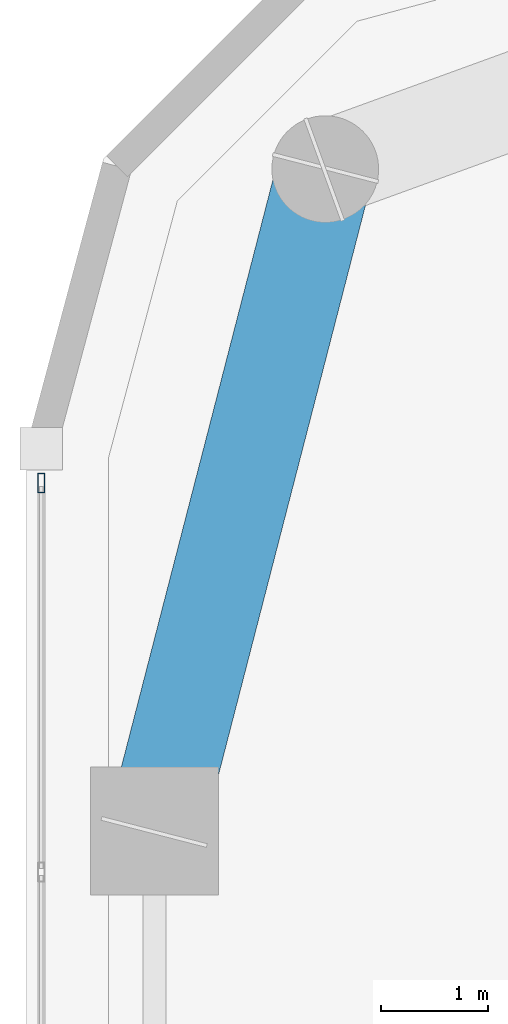
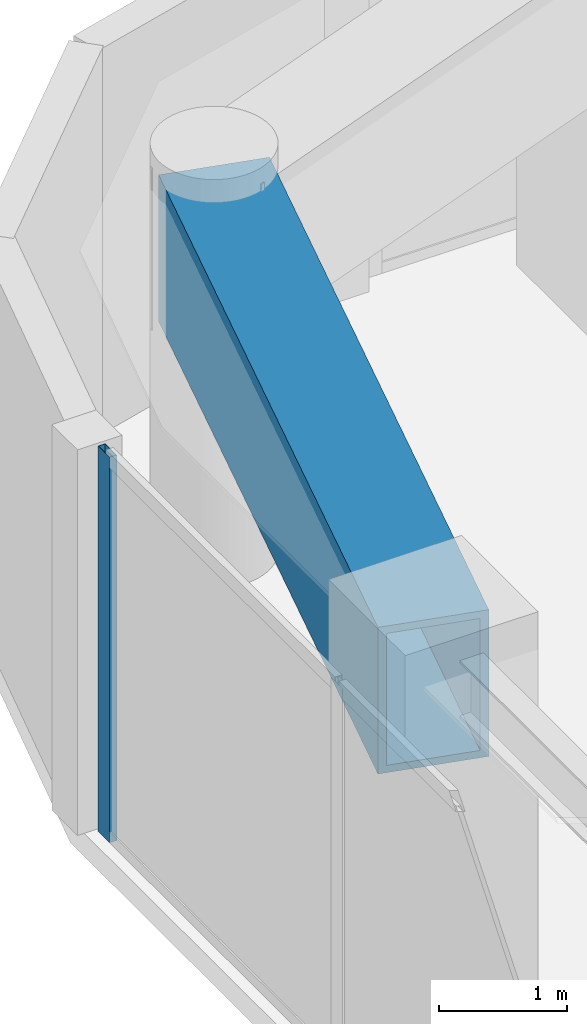
# One storey, part 15 of 30: 1 beam, 1 member, 1 element without a shape of its own.
"""IFC4 building model written with IfcOpenShell, lengths in metres."""

from ifc_helpers import new_model, si_unit, direction, frame, origin, origin_2d, place, context, subcontext, project, spatial, hollow_rectangle, extrude, material, layer, layer_set, material_profile, profile_set, type_object, element, aggregate, save


model = new_model("IFC4")

# Units and contexts
model_context = context("Model", 3, precision=1e-05, world=origin(), true_north=direction((0.0, 1.0)))
body_context = subcontext(model_context, "Body", "Model", "MODEL_VIEW")
ifc_project = project(units=[si_unit("LENGTHUNIT", "METRE"), si_unit("AREAUNIT", "SQUARE_METRE"), si_unit("VOLUMEUNIT", "CUBIC_METRE"), si_unit("PLANEANGLEUNIT", "RADIAN"), si_unit("MASSUNIT", "GRAM", prefix="KILO")], contexts=[model_context])

# Site, building, storey
site_placement = place(None, origin())
site = spatial("IfcSite", under=ifc_project, at=site_placement, CompositionType="ELEMENT")
building_placement = place(site_placement, origin())
building = spatial("IfcBuilding", under=site, at=building_placement, Name="Kiyonajd Concourse Tower", CompositionType="ELEMENT")
storey_placement = place(building_placement, frame((0.0, 0.0, 198.0)))
storey = spatial("IfcBuildingStorey", under=building, at=storey_placement, Name="L50", CompositionType="ELEMENT", Elevation=198.0)

# Beam
ifc_material_1 = material(Name="Steel ASTM A572 Grade 50", Category="steel")
ifc_material_profile_1 = material_profile(ifc_material_1, hollow_rectangle(XDim=0.89990234375, YDim=1.39990234375, WallThickness=0.070068359375, at=origin_2d()), Name="BOX-1400x900x70")
ifc_profile_set_1 = profile_set([ifc_material_profile_1], Name="Steel ASTM A572 Grade 50")
beam_type = type_object("IfcBeamType", Name="BM-XFER-1400", PredefinedType="BEAM", material=ifc_profile_set_1)
beam_placement = place(storey_placement, frame((20.800048828125, 59.60009765625, 2.97998046875), z_axis=(-0.249884937687, -0.968275538221, 0.0), x_axis=(0.968275538221, -0.249884937687, 0.0)))
element("IfcBeam", 1, at=beam_placement, inside=storey, type_object=beam_type, Name="L50 Perimeter Bundled Tube Spandrel", PredefinedType="BEAM", context=body_context, shape_type="SweptSolid", body=[
    extrude(hollow_rectangle(XDim=0.89990234375, YDim=1.39990234375, WallThickness=0.070068359375, at=origin_2d()), origin(), (0.0, 0.0, 1.0), 6.4033203125),
])

# Curtain wall, member
ifc_material_2 = material(Name="Thermally Broken Anodised Aluminium", Category="aluminium")
ifc_layer = layer(ifc_material_2, 0.179931640625)
ifc_layer_set = layer_set([ifc_layer], Name="Thermally Broken Anodised Aluminium")
curtain_wall_type = type_object("IfcCurtainWallType", Name="CW-SYS-03", PredefinedType="NOTDEFINED", material=ifc_layer_set)
curtain_wall_placement = place(storey_placement, origin())
curtain_wall = element("IfcCurtainWall", 2, at=curtain_wall_placement, inside=storey, type_object=curtain_wall_type, Name="L50 Unitised Curtain Wall CW3", PredefinedType="NOTDEFINED")
ifc_material_profile_2 = material_profile(ifc_material_2, hollow_rectangle(XDim=0.06494140625, YDim=0.179931640625, WallThickness=0.00390625, at=origin_2d()), Name="MULL-65x180")
ifc_profile_set_2 = profile_set([ifc_material_profile_2], Name="Thermally Broken Anodised Aluminium")
member_type = type_object("IfcMemberType", Name="MB-CW-MULL1", PredefinedType="MULLION", material=ifc_profile_set_2)
member_placement = place(storey_placement, frame((18.139892578125, 56.6591796875, 0.0), z_axis=(0.0, 0.0, 1.0), x_axis=(-1.0, 0.0, 0.0)))
member = element("IfcMember", 3, at=member_placement, type_object=member_type, Name="CW3 mullion 7", PredefinedType="MULLION", context=body_context, shape_type="SweptSolid", body=[
    extrude(hollow_rectangle(XDim=0.06494140625, YDim=0.179931640625, WallThickness=0.00390625, at=origin_2d()), origin(), (0.0, 0.0, 1.0), 3.679931640625),
])
aggregate(curtain_wall, [member])

save(model, "model.ifc")
